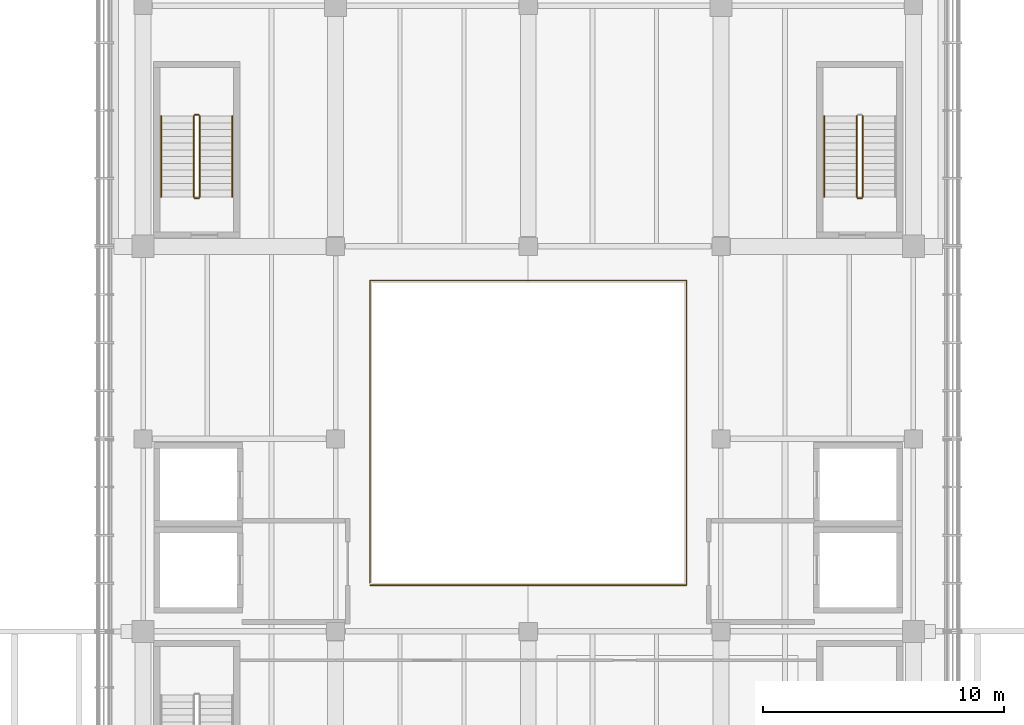
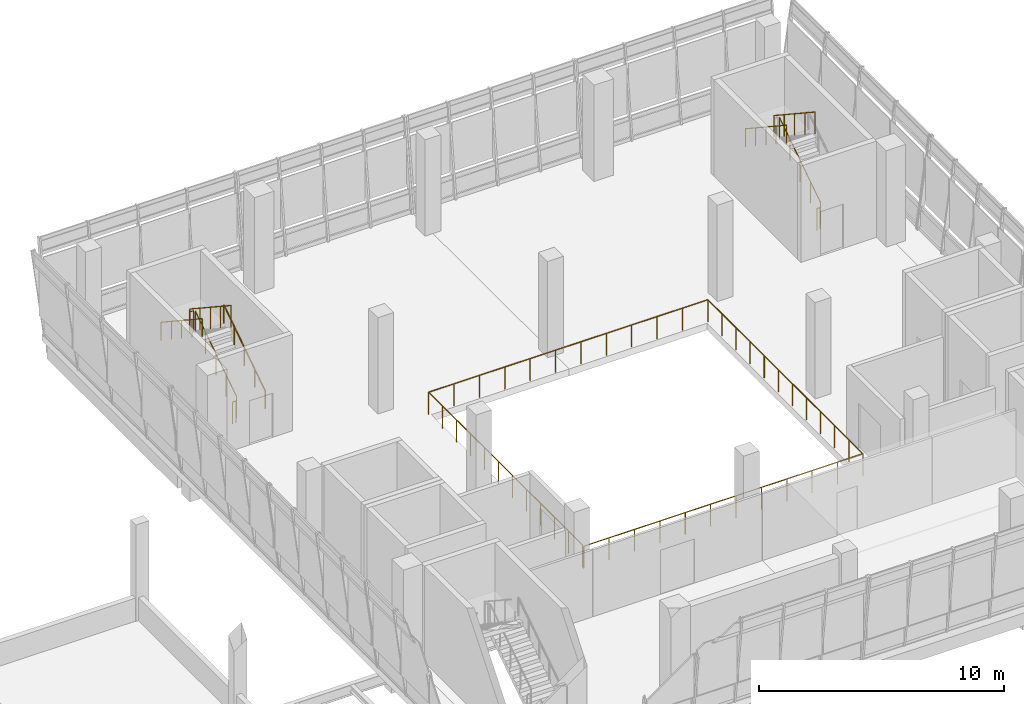
# One storey, part 47 of 52: 11 railings.
"""IFC4 building model written with IfcOpenShell, lengths in metres."""

from ifc_helpers import new_model, si_unit, direction, frame, origin, origin_2d, place, context, subcontext, project, spatial, circle, extrude, material, type_object, element, save


model = new_model("IFC4")

# Units and contexts
model_context = context("Model", 3, precision=1e-05, world=origin(), true_north=direction((0.0, 1.0)))
body_context = subcontext(model_context, "Body", "Model", "MODEL_VIEW")
ifc_project = project(units=[si_unit("LENGTHUNIT", "METRE"), si_unit("AREAUNIT", "SQUARE_METRE"), si_unit("VOLUMEUNIT", "CUBIC_METRE"), si_unit("PLANEANGLEUNIT", "RADIAN"), si_unit("MASSUNIT", "GRAM", prefix="KILO")], contexts=[model_context])

# Site, building, storey
site_placement = place(None, origin())
site = spatial("IfcSite", under=ifc_project, at=site_placement, CompositionType="ELEMENT")
building_placement = place(site_placement, origin())
building = spatial("IfcBuilding", under=site, at=building_placement, Name="Pecanmere Concourse Central Library", CompositionType="ELEMENT")
storey_placement = place(building_placement, frame((0.0, 0.0, 10.5)))
storey = spatial("IfcBuildingStorey", under=building, at=storey_placement, Name="L03", CompositionType="ELEMENT", Elevation=10.5)

# Railings
ifc_material_1 = material(Name="Architectural anodized bronze")
railing_type_1 = type_object("IfcRailingType", Name="RAIL_ATRIUM_BAL", PredefinedType="BALUSTRADE", material=ifc_material_1)
railing_1_placement = place(storey_placement, frame((81.419921875, 99.919921875, 0.0)))
element("IfcRailing", 1, at=railing_1_placement, inside=storey, type_object=railing_type_1, Name="Atrium Void Balustrade L03", PredefinedType="BALUSTRADE", context=body_context, shape_type="SweptSolid", body=[
    extrude(circle(Radius=0.02392578125, at=origin_2d()), frame((0.0, 0.0, 1.09619140625), z_axis=(1.0, 0.0, 0.0), x_axis=(0.0, 1.0, 0.0)), (0.0, 0.0, 1.0), 13.16015625),
    extrude(circle(Radius=0.02392578125, at=origin_2d()), frame((13.16015625, 0.0, 1.09619140625), z_axis=(0.0, 1.0, 0.0), x_axis=(-1.0, 0.0, 0.0)), (0.0, 0.0, 1.0), 12.66015625),
    extrude(circle(Radius=0.02392578125, at=origin_2d()), frame((13.16015625, 12.66015625, 1.09619140625), z_axis=(-1.0, 0.0, 0.0), x_axis=(0.0, -1.0, 0.0)), (0.0, 0.0, 1.0), 13.16015625),
    extrude(circle(Radius=0.02392578125, at=origin_2d()), frame((0.0, 12.66015625, 1.09619140625), z_axis=(0.0, -1.0, 0.0), x_axis=(1.0, 0.0, 0.0)), (0.0, 0.0, 1.0), 12.56005859375),
    extrude(circle(Radius=0.02099609375, at=origin_2d()), origin(), (0.0, 0.0, 1.0), 1.072021484375),
    extrude(circle(Radius=0.02099609375, at=origin_2d()), frame((1.1962890625, 0.0, 0.0)), (0.0, 0.0, 1.0), 1.072021484375),
    extrude(circle(Radius=0.02099609375, at=origin_2d()), frame((2.392822265625, 0.0, 0.0)), (0.0, 0.0, 1.0), 1.072021484375),
    extrude(circle(Radius=0.02099609375, at=origin_2d()), frame((3.589111328125, 0.0, 0.0)), (0.0, 0.0, 1.0), 1.072021484375),
    extrude(circle(Radius=0.02099609375, at=origin_2d()), frame((4.785400390625, 0.0, 0.0)), (0.0, 0.0, 1.0), 1.072021484375),
    extrude(circle(Radius=0.02099609375, at=origin_2d()), frame((5.98193359375, 0.0, 0.0)), (0.0, 0.0, 1.0), 1.072021484375),
    extrude(circle(Radius=0.02099609375, at=origin_2d()), frame((7.17822265625, 0.0, 0.0)), (0.0, 0.0, 1.0), 1.072021484375),
    extrude(circle(Radius=0.02099609375, at=origin_2d()), frame((8.374755859375, 0.0, 0.0)), (0.0, 0.0, 1.0), 1.072021484375),
    extrude(circle(Radius=0.02099609375, at=origin_2d()), frame((9.571044921875, 0.0, 0.0)), (0.0, 0.0, 1.0), 1.072021484375),
    extrude(circle(Radius=0.02099609375, at=origin_2d()), frame((10.767333984375, 0.0, 0.0)), (0.0, 0.0, 1.0), 1.072021484375),
    extrude(circle(Radius=0.02099609375, at=origin_2d()), frame((11.9638671875, 0.0, 0.0)), (0.0, 0.0, 1.0), 1.072021484375),
    extrude(circle(Radius=0.02099609375, at=origin_2d()), frame((13.16015625, 0.0, 0.0)), (0.0, 0.0, 1.0), 1.072021484375),
    extrude(circle(Radius=0.02099609375, at=origin_2d()), frame((13.16015625, 1.15087890625, 0.0)), (0.0, 0.0, 1.0), 1.072021484375),
    extrude(circle(Radius=0.02099609375, at=origin_2d()), frame((13.16015625, 2.3017578125, 0.0)), (0.0, 0.0, 1.0), 1.072021484375),
    extrude(circle(Radius=0.02099609375, at=origin_2d()), frame((13.16015625, 3.452880859375, 0.0)), (0.0, 0.0, 1.0), 1.072021484375),
    extrude(circle(Radius=0.02099609375, at=origin_2d()), frame((13.16015625, 4.603759765625, 0.0)), (0.0, 0.0, 1.0), 1.072021484375),
    extrude(circle(Radius=0.02099609375, at=origin_2d()), frame((13.16015625, 5.754638671875, 0.0)), (0.0, 0.0, 1.0), 1.072021484375),
    extrude(circle(Radius=0.02099609375, at=origin_2d()), frame((13.16015625, 6.905517578125, 0.0)), (0.0, 0.0, 1.0), 1.072021484375),
    extrude(circle(Radius=0.02099609375, at=origin_2d()), frame((13.16015625, 8.056396484375, 0.0)), (0.0, 0.0, 1.0), 1.072021484375),
    extrude(circle(Radius=0.02099609375, at=origin_2d()), frame((13.16015625, 9.207275390625, 0.0)), (0.0, 0.0, 1.0), 1.072021484375),
    extrude(circle(Radius=0.02099609375, at=origin_2d()), frame((13.16015625, 10.3583984375, 0.0)), (0.0, 0.0, 1.0), 1.072021484375),
    extrude(circle(Radius=0.02099609375, at=origin_2d()), frame((13.16015625, 11.50927734375, 0.0)), (0.0, 0.0, 1.0), 1.072021484375),
    extrude(circle(Radius=0.02099609375, at=origin_2d()), frame((13.16015625, 12.66015625, 0.0)), (0.0, 0.0, 1.0), 1.072021484375),
    extrude(circle(Radius=0.02099609375, at=origin_2d()), frame((11.9638671875, 12.66015625, 0.0)), (0.0, 0.0, 1.0), 1.072021484375),
    extrude(circle(Radius=0.02099609375, at=origin_2d()), frame((10.767333984375, 12.66015625, 0.0)), (0.0, 0.0, 1.0), 1.072021484375),
    extrude(circle(Radius=0.02099609375, at=origin_2d()), frame((9.571044921875, 12.66015625, 0.0)), (0.0, 0.0, 1.0), 1.072021484375),
    extrude(circle(Radius=0.02099609375, at=origin_2d()), frame((8.374755859375, 12.66015625, 0.0)), (0.0, 0.0, 1.0), 1.072021484375),
    extrude(circle(Radius=0.02099609375, at=origin_2d()), frame((7.17822265625, 12.66015625, 0.0)), (0.0, 0.0, 1.0), 1.072021484375),
    extrude(circle(Radius=0.02099609375, at=origin_2d()), frame((5.98193359375, 12.66015625, 0.0)), (0.0, 0.0, 1.0), 1.072021484375),
    extrude(circle(Radius=0.02099609375, at=origin_2d()), frame((4.785400390625, 12.66015625, 0.0)), (0.0, 0.0, 1.0), 1.072021484375),
    extrude(circle(Radius=0.02099609375, at=origin_2d()), frame((3.589111328125, 12.66015625, 0.0)), (0.0, 0.0, 1.0), 1.072021484375),
    extrude(circle(Radius=0.02099609375, at=origin_2d()), frame((2.392822265625, 12.66015625, 0.0)), (0.0, 0.0, 1.0), 1.072021484375),
    extrude(circle(Radius=0.02099609375, at=origin_2d()), frame((1.1962890625, 12.66015625, 0.0)), (0.0, 0.0, 1.0), 1.072021484375),
    extrude(circle(Radius=0.02099609375, at=origin_2d()), frame((0.0, 12.66015625, 0.0)), (0.0, 0.0, 1.0), 1.072021484375),
    extrude(circle(Radius=0.02099609375, at=origin_2d()), frame((0.0, 11.518310546875, 0.0)), (0.0, 0.0, 1.0), 1.072021484375),
    extrude(circle(Radius=0.02099609375, at=origin_2d()), frame((0.0, 10.37646484375, 0.0)), (0.0, 0.0, 1.0), 1.072021484375),
    extrude(circle(Radius=0.02099609375, at=origin_2d()), frame((0.0, 9.234619140625, 0.0)), (0.0, 0.0, 1.0), 1.072021484375),
    extrude(circle(Radius=0.02099609375, at=origin_2d()), frame((0.0, 8.0927734375, 0.0)), (0.0, 0.0, 1.0), 1.072021484375),
    extrude(circle(Radius=0.02099609375, at=origin_2d()), frame((0.0, 6.950927734375, 0.0)), (0.0, 0.0, 1.0), 1.072021484375),
    extrude(circle(Radius=0.02099609375, at=origin_2d()), frame((0.0, 5.809326171875, 0.0)), (0.0, 0.0, 1.0), 1.072021484375),
    extrude(circle(Radius=0.02099609375, at=origin_2d()), frame((0.0, 4.66748046875, 0.0)), (0.0, 0.0, 1.0), 1.072021484375),
    extrude(circle(Radius=0.02099609375, at=origin_2d()), frame((0.0, 3.525634765625, 0.0)), (0.0, 0.0, 1.0), 1.072021484375),
    extrude(circle(Radius=0.02099609375, at=origin_2d()), frame((0.0, 2.3837890625, 0.0)), (0.0, 0.0, 1.0), 1.072021484375),
    extrude(circle(Radius=0.02099609375, at=origin_2d()), frame((0.0, 1.241943359375, 0.0)), (0.0, 0.0, 1.0), 1.072021484375),
    extrude(circle(Radius=0.02099609375, at=origin_2d()), frame((0.0, 0.10009765625, 0.0)), (0.0, 0.0, 1.0), 1.072021484375),
])
ifc_material_2 = material(Name="Painted architectural steel ASTM A36", Category="steel")
railing_type_2 = type_object("IfcRailingType", Name="RAIL_STAIR_GUARD", PredefinedType="GUARDRAIL", material=ifc_material_2)
railing_2_placement = place(storey_placement, frame((74.360107421875, 116.050048828125, 0.1845703125)))
element("IfcRailing", 2, at=railing_2_placement, inside=storey, type_object=railing_type_2, Name="L03 ST-03 Guard 1", PredefinedType="GUARDRAIL", context=body_context, shape_type="SweptSolid", body=[
    extrude(circle(Radius=0.02392578125, at=origin_2d()), frame((0.0, 0.0, 1.076171875), z_axis=(0.0, 0.834858096282, 0.550465220583), x_axis=(-1.0, 0.0, 0.0)), (0.0, 0.0, 1.0), 4.0244140625),
    extrude(circle(Radius=0.02099609375, at=origin_2d()), origin(), (0.0, 0.0, 1.0), 1.052001953125),
    extrude(circle(Radius=0.02099609375, at=origin_2d()), frame((0.0, 0.83984375, 0.5537109375)), (0.0, 0.0, 1.0), 1.052001953125),
    extrude(circle(Radius=0.02099609375, at=origin_2d()), frame((0.0, 1.679931640625, 1.107666015625)), (0.0, 0.0, 1.0), 1.052001953125),
    extrude(circle(Radius=0.02099609375, at=origin_2d()), frame((0.0, 2.52001953125, 1.66162109375)), (0.0, 0.0, 1.0), 1.052001953125),
    extrude(circle(Radius=0.02099609375, at=origin_2d()), frame((0.0, 3.35986328125, 2.21533203125)), (0.0, 0.0, 1.0), 1.052001953125),
])
railing_3_placement = place(storey_placement, frame((74.31005859375, 119.4599609375, 2.39990234375)))
element("IfcRailing", 3, at=railing_3_placement, inside=storey, type_object=railing_type_2, Name="L03 ST-03 Guard 2", PredefinedType="GUARDRAIL", context=body_context, shape_type="SweptSolid", body=[
    extrude(circle(Radius=0.02392578125, at=origin_2d()), frame((0.0, 0.0, 1.076171875), z_axis=(-1.0, 0.0, 0.0), x_axis=(0.0, -1.0, 0.0)), (0.0, 0.0, 1.0), 0.16015625),
    extrude(circle(Radius=0.02099609375, at=origin_2d()), origin(), (0.0, 0.0, 1.0), 1.052001953125),
    extrude(circle(Radius=0.02099609375, at=origin_2d()), frame((-0.16015625, 0.0, 0.0)), (0.0, 0.0, 1.0), 1.052001953125),
])
railing_4_placement = place(storey_placement, frame((74.10009765625, 119.409912109375, 2.584716796875)))
element("IfcRailing", 4, at=railing_4_placement, inside=storey, type_object=railing_type_2, Name="L03 ST-03 Guard 3", PredefinedType="GUARDRAIL", context=body_context, shape_type="SweptSolid", body=[
    extrude(circle(Radius=0.02392578125, at=origin_2d()), frame((0.0, 0.0, 1.076171875), z_axis=(0.0, -0.834858096282, 0.550465220583), x_axis=(1.0, 0.0, 0.0)), (0.0, 0.0, 1.0), 4.0244140625),
    extrude(circle(Radius=0.02099609375, at=origin_2d()), origin(), (0.0, 0.0, 1.0), 1.052001953125),
    extrude(circle(Radius=0.02099609375, at=origin_2d()), frame((0.0, -0.83984375, 0.5537109375)), (0.0, 0.0, 1.0), 1.052001953125),
    extrude(circle(Radius=0.02099609375, at=origin_2d()), frame((0.0, -1.679931640625, 1.107666015625)), (0.0, 0.0, 1.0), 1.052001953125),
    extrude(circle(Radius=0.02099609375, at=origin_2d()), frame((0.0, -2.52001953125, 1.66162109375)), (0.0, 0.0, 1.0), 1.052001953125),
    extrude(circle(Radius=0.02099609375, at=origin_2d()), frame((0.0, -3.35986328125, 2.21533203125)), (0.0, 0.0, 1.0), 1.052001953125),
])
railing_5_placement = place(storey_placement, frame((74.31005859375, 116.0, 0.0)))
element("IfcRailing", 5, at=railing_5_placement, inside=storey, type_object=railing_type_2, Name="L03 ST-03 Guard 4", PredefinedType="GUARDRAIL", context=body_context, shape_type="SweptSolid", body=[
    extrude(circle(Radius=0.02392578125, at=origin_2d()), frame((0.0, 0.0, 1.076171875), z_axis=(-1.0, 0.0, 0.0), x_axis=(0.0, -1.0, 0.0)), (0.0, 0.0, 1.0), 0.16015625),
    extrude(circle(Radius=0.02099609375, at=origin_2d()), origin(), (0.0, 0.0, 1.0), 1.052001953125),
    extrude(circle(Radius=0.02099609375, at=origin_2d()), frame((-0.16015625, 0.0, 0.0)), (0.0, 0.0, 1.0), 1.052001953125),
])
railing_6_placement = place(storey_placement, frame((101.89990234375, 116.050048828125, 0.1845703125)))
element("IfcRailing", 6, at=railing_6_placement, inside=storey, type_object=railing_type_2, Name="L03 ST-04 Guard 1", PredefinedType="GUARDRAIL", context=body_context, shape_type="SweptSolid", body=[
    extrude(circle(Radius=0.02392578125, at=origin_2d()), frame((0.0, 0.0, 1.076171875), z_axis=(0.0, 0.834858096282, 0.550465220583), x_axis=(-1.0, 0.0, 0.0)), (0.0, 0.0, 1.0), 4.0244140625),
    extrude(circle(Radius=0.02099609375, at=origin_2d()), origin(), (0.0, 0.0, 1.0), 1.052001953125),
    extrude(circle(Radius=0.02099609375, at=origin_2d()), frame((0.0, 0.83984375, 0.5537109375)), (0.0, 0.0, 1.0), 1.052001953125),
    extrude(circle(Radius=0.02099609375, at=origin_2d()), frame((0.0, 1.679931640625, 1.107666015625)), (0.0, 0.0, 1.0), 1.052001953125),
    extrude(circle(Radius=0.02099609375, at=origin_2d()), frame((0.0, 2.52001953125, 1.66162109375)), (0.0, 0.0, 1.0), 1.052001953125),
    extrude(circle(Radius=0.02099609375, at=origin_2d()), frame((0.0, 3.35986328125, 2.21533203125)), (0.0, 0.0, 1.0), 1.052001953125),
])
railing_7_placement = place(storey_placement, frame((101.639892578125, 119.409912109375, 2.584716796875)))
element("IfcRailing", 7, at=railing_7_placement, inside=storey, type_object=railing_type_2, Name="L03 ST-04 Guard 3", PredefinedType="GUARDRAIL", context=body_context, shape_type="SweptSolid", body=[
    extrude(circle(Radius=0.02392578125, at=origin_2d()), frame((0.0, 0.0, 1.076171875), z_axis=(0.0, -0.834858096282, 0.550465220583), x_axis=(1.0, 0.0, 0.0)), (0.0, 0.0, 1.0), 4.0244140625),
    extrude(circle(Radius=0.02099609375, at=origin_2d()), origin(), (0.0, 0.0, 1.0), 1.052001953125),
    extrude(circle(Radius=0.02099609375, at=origin_2d()), frame((0.0, -0.83984375, 0.5537109375)), (0.0, 0.0, 1.0), 1.052001953125),
    extrude(circle(Radius=0.02099609375, at=origin_2d()), frame((0.0, -1.679931640625, 1.107666015625)), (0.0, 0.0, 1.0), 1.052001953125),
    extrude(circle(Radius=0.02099609375, at=origin_2d()), frame((0.0, -2.52001953125, 1.66162109375)), (0.0, 0.0, 1.0), 1.052001953125),
    extrude(circle(Radius=0.02099609375, at=origin_2d()), frame((0.0, -3.35986328125, 2.21533203125)), (0.0, 0.0, 1.0), 1.052001953125),
])
railing_8_placement = place(storey_placement, frame((101.85009765625, 116.0, 0.0)))
element("IfcRailing", 8, at=railing_8_placement, inside=storey, type_object=railing_type_2, Name="L03 ST-04 Guard 4", PredefinedType="GUARDRAIL", context=body_context, shape_type="SweptSolid", body=[
    extrude(circle(Radius=0.02392578125, at=origin_2d()), frame((0.0, 0.0, 1.076171875), z_axis=(-1.0, 0.0, 0.0), x_axis=(0.0, -1.0, 0.0)), (0.0, 0.0, 1.0), 0.16015625),
    extrude(circle(Radius=0.02099609375, at=origin_2d()), origin(), (0.0, 0.0, 1.0), 1.052001953125),
    extrude(circle(Radius=0.02099609375, at=origin_2d()), frame((-0.16015625, 0.0, 0.0)), (0.0, 0.0, 1.0), 1.052001953125),
])
ifc_material_3 = material(Name="Brushed stainless steel Grade 316", Category="steel")
railing_type_3 = type_object("IfcRailingType", Name="RAIL_STAIR_HR", PredefinedType="HANDRAIL", material=ifc_material_3)
railing_9_placement = place(storey_placement, frame((75.7099609375, 116.050048828125, 0.1845703125)))
element("IfcRailing", 9, at=railing_9_placement, inside=storey, type_object=railing_type_3, Name="L03 ST-03 Handrail 1", PredefinedType="HANDRAIL", context=body_context, shape_type="SweptSolid", body=[
    extrude(circle(Radius=0.02392578125, at=origin_2d()), frame((0.0, 0.0, 0.89111328125), z_axis=(0.0, 0.834858096282, 0.550465220583), x_axis=(-1.0, 0.0, 0.0)), (0.0, 0.0, 1.0), 4.0244140625),
    extrude(circle(Radius=0.02099609375, at=origin_2d()), origin(), (0.0, 0.0, 1.0), 0.866943359375),
    extrude(circle(Radius=0.02099609375, at=origin_2d()), frame((0.0, 0.83984375, 0.5537109375)), (0.0, 0.0, 1.0), 0.866943359375),
    extrude(circle(Radius=0.02099609375, at=origin_2d()), frame((0.0, 1.679931640625, 1.107666015625)), (0.0, 0.0, 1.0), 0.866943359375),
    extrude(circle(Radius=0.02099609375, at=origin_2d()), frame((0.0, 2.52001953125, 1.66162109375)), (0.0, 0.0, 1.0), 0.866943359375),
    extrude(circle(Radius=0.02099609375, at=origin_2d()), frame((0.0, 3.35986328125, 2.21533203125)), (0.0, 0.0, 1.0), 0.866943359375),
])
for number, where, name in (
    (10, (72.75, 119.409912109375, 2.584716796875), "L03 ST-03 Handrail 2"),
    (11, (100.2900390625, 119.409912109375, 2.584716796875), "L03 ST-04 Handrail 2"),
):
    element("IfcRailing", number, at=place(storey_placement, frame(where)), inside=storey, type_object=railing_type_3, Name=name, PredefinedType="HANDRAIL", context=body_context, shape_type="SweptSolid", body=[
        extrude(circle(Radius=0.02392578125, at=origin_2d()), frame((0.0, 0.0, 0.89111328125), z_axis=(0.0, -0.834858096282, 0.550465220583), x_axis=(1.0, 0.0, 0.0)), (0.0, 0.0, 1.0), 4.0244140625),
        extrude(circle(Radius=0.02099609375, at=origin_2d()), origin(), (0.0, 0.0, 1.0), 0.866943359375),
        extrude(circle(Radius=0.02099609375, at=origin_2d()), frame((0.0, -0.83984375, 0.5537109375)), (0.0, 0.0, 1.0), 0.866943359375),
        extrude(circle(Radius=0.02099609375, at=origin_2d()), frame((0.0, -1.679931640625, 1.107666015625)), (0.0, 0.0, 1.0), 0.866943359375),
        extrude(circle(Radius=0.02099609375, at=origin_2d()), frame((0.0, -2.52001953125, 1.66162109375)), (0.0, 0.0, 1.0), 0.866943359375),
        extrude(circle(Radius=0.02099609375, at=origin_2d()), frame((0.0, -3.35986328125, 2.21533203125)), (0.0, 0.0, 1.0), 0.866943359375),
    ])

save(model, "model.ifc")
